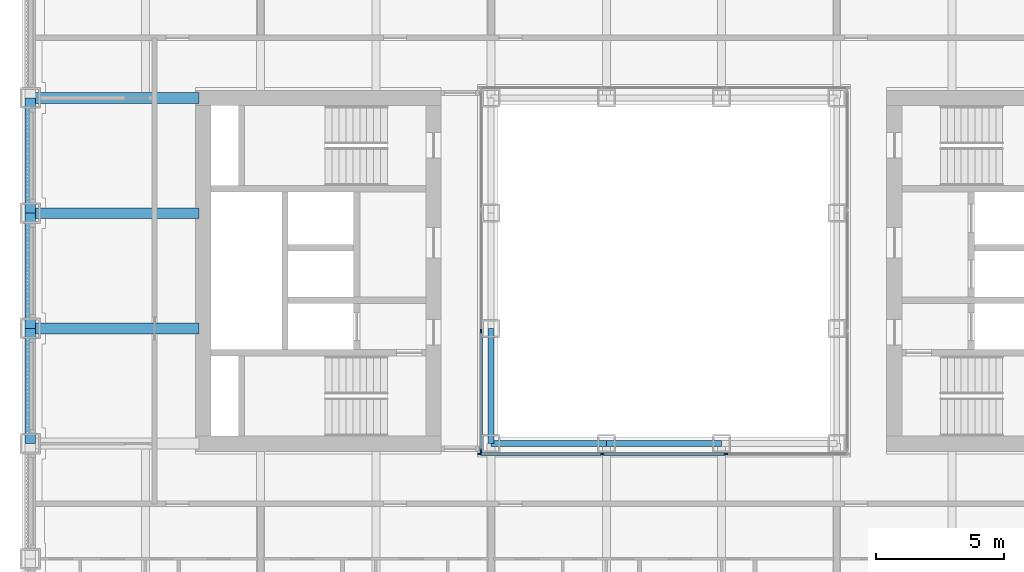
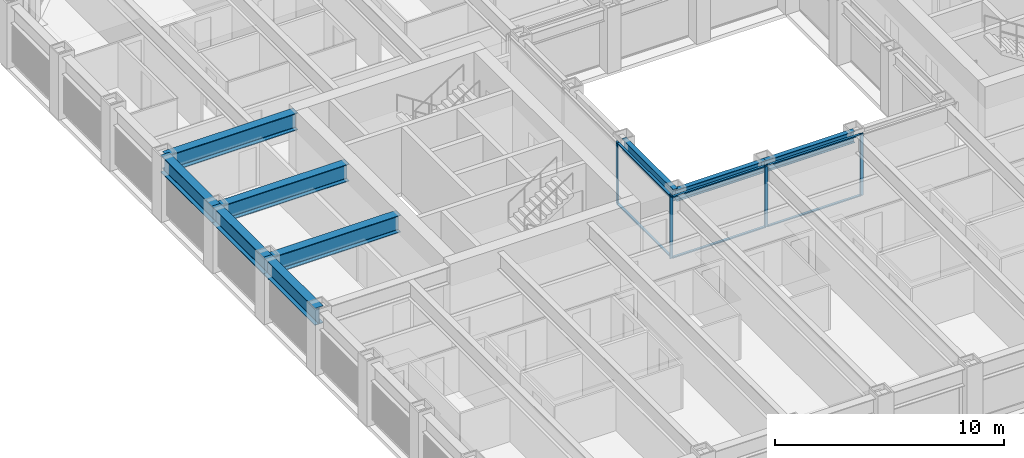
# One storey, part 3 of 21: 11 members, 9 beams, 2 elements without a shape of their own.
"""IFC4 building model written with IfcOpenShell, lengths in metres."""

from ifc_helpers import new_model, si_unit, direction, frame, origin, origin_2d, place, context, subcontext, project, spatial, rectangle, i_section, extrude, material, material_profile, profile_set, type_object, element, aggregate, save


model = new_model("IFC4")

# Units and contexts
model_context = context("Model", 3, precision=1e-05, world=origin(), true_north=direction((0.0, 1.0)))
body_context = subcontext(model_context, "Body", "Model", "MODEL_VIEW")
ifc_project = project(units=[si_unit("LENGTHUNIT", "METRE"), si_unit("AREAUNIT", "SQUARE_METRE"), si_unit("VOLUMEUNIT", "CUBIC_METRE"), si_unit("PLANEANGLEUNIT", "RADIAN"), si_unit("MASSUNIT", "GRAM", prefix="KILO")], contexts=[model_context])

# Site, building, storey
site_placement = place(None, origin())
site = spatial("IfcSite", under=ifc_project, at=site_placement, CompositionType="ELEMENT")
building_placement = place(site_placement, origin())
building = spatial("IfcBuilding", under=site, at=building_placement, Name="Msasa Ring Tower", CompositionType="ELEMENT")
storey_placement = place(building_placement, frame((0.0, 0.0, 47.5)))
storey = spatial("IfcBuildingStorey", under=building, at=storey_placement, Name="L11", CompositionType="ELEMENT", Elevation=47.5)

# Curtain wall, members
ifc_material_1 = material(Name="Aluminium curtain wall with clear glass", Category="aluminium")
curtain_wall_type = type_object("IfcCurtainWallType", Name="CW-W LIGHT WELL CURTAIN WALL", PredefinedType="NOTDEFINED", material=ifc_material_1)
curtain_wall_1_placement = place(storey_placement, origin())
curtain_wall_1 = element("IfcCurtainWall", 1, at=curtain_wall_1_placement, inside=storey, type_object=curtain_wall_type, Name="Light well curtain wall S L11", PredefinedType="NOTDEFINED")
ifc_material_2 = material(Name="Aluminium mullion", Category="aluminium")
ifc_material_profile_1 = material_profile(ifc_material_2, rectangle(XDim=0.06005859375, YDim=0.159912109375, at=origin_2d()), Name="AL 60x160")
ifc_profile_set_1 = profile_set([ifc_material_profile_1], Name="Aluminium mullion")
member_type_1 = type_object("IfcMemberType", Name="CW-W MULLION 60x160", PredefinedType="MULLION", material=ifc_profile_set_1)
member_1_placement = place(storey_placement, frame((-7.199951171875, -7.14990234375, 0.0), z_axis=(0.0, 0.0, 1.0), x_axis=(0.0, 1.0, 0.0)))
member_1 = element("IfcMember", 2, at=member_1_placement, type_object=member_type_1, Name="CW-W mullion 1", PredefinedType="MULLION", context=body_context, shape_type="SweptSolid", body=[
    extrude(rectangle(XDim=0.06005859375, YDim=0.159912109375, at=origin_2d()), origin(), (0.0, 0.0, 1.0), 3.300048828125),
])
member_2_placement = place(storey_placement, frame((-2.409912109375, -7.14990234375, 0.0), z_axis=(0.0, 0.0, 1.0), x_axis=(0.0, 1.0, 0.0)))
member_2 = element("IfcMember", 3, at=member_2_placement, type_object=member_type_1, Name="CW-W mullion 2", PredefinedType="MULLION", context=body_context, shape_type="SweptSolid", body=[
    extrude(rectangle(XDim=0.06005859375, YDim=0.159912109375, at=origin_2d()), origin(), (0.0, 0.0, 1.0), 3.300048828125),
])
member_3_placement = place(storey_placement, frame((2.409912109375, -7.14990234375, 0.0), z_axis=(0.0, 0.0, 1.0), x_axis=(0.0, 1.0, 0.0)))
member_3 = element("IfcMember", 4, at=member_3_placement, type_object=member_type_1, Name="CW-W mullion 3", PredefinedType="MULLION", context=body_context, shape_type="SweptSolid", body=[
    extrude(rectangle(XDim=0.06005859375, YDim=0.159912109375, at=origin_2d()), origin(), (0.0, 0.0, 1.0), 3.300048828125),
])

curtain_wall_2_placement = place(storey_placement, origin())
curtain_wall_2 = element("IfcCurtainWall", 5, at=curtain_wall_2_placement, inside=storey, type_object=curtain_wall_type, Name="Light well curtain wall W L11", PredefinedType="NOTDEFINED")
member_4_placement = place(storey_placement, frame((-7.14990234375, -7.0400390625, 0.0), z_axis=(0.0, 0.0, 1.0), x_axis=(-1.0, 0.0, 0.0)))
member_4 = element("IfcMember", 6, at=member_4_placement, type_object=member_type_1, Name="CW-W mullion 1", PredefinedType="MULLION", context=body_context, shape_type="SweptSolid", body=[
    extrude(rectangle(XDim=0.06005859375, YDim=0.159912109375, at=origin_2d()), origin(), (0.0, 0.0, 1.0), 3.300048828125),
])
member_5_placement = place(storey_placement, frame((-7.14990234375, -2.356689453125, 0.0), z_axis=(0.0, 0.0, 1.0), x_axis=(-1.0, 0.0, 0.0)))
member_5 = element("IfcMember", 7, at=member_5_placement, type_object=member_type_1, Name="CW-W mullion 2", PredefinedType="MULLION", context=body_context, shape_type="SweptSolid", body=[
    extrude(rectangle(XDim=0.06005859375, YDim=0.159912109375, at=origin_2d()), origin(), (0.0, 0.0, 1.0), 3.300048828125),
])

# Member
ifc_material_3 = material(Name="Aluminium transom", Category="aluminium")
ifc_material_profile_2 = material_profile(ifc_material_3, rectangle(XDim=0.1201171875, YDim=0.06005859375, at=origin_2d()), Name="AL 60x120")
ifc_profile_set_2 = profile_set([ifc_material_profile_2], Name="Aluminium transom")
member_type_2 = type_object("IfcMemberType", Name="CW-W TRANSOM 60x120", PredefinedType="USERDEFINED", material=ifc_profile_set_2)
member_6_placement = place(storey_placement, frame((-7.169921875, -7.14990234375, 0.030029296875), z_axis=(1.0, 0.0, 0.0), x_axis=(0.0, 1.0, 0.0)))
member_6 = element("IfcMember", 8, at=member_6_placement, type_object=member_type_2, Name="CW-W transom 1.1", ObjectType="TRANSOM", PredefinedType="USERDEFINED", context=body_context, shape_type="SweptSolid", body=[
    extrude(rectangle(XDim=0.1201171875, YDim=0.06005859375, at=origin_2d()), origin(), (0.0, 0.0, 1.0), 4.72998046875),
])

member_7_placement = place(storey_placement, frame((-7.169921875, -7.14990234375, 3.27001953125), z_axis=(1.0, 0.0, 0.0), x_axis=(0.0, 1.0, 0.0)))
member_7 = element("IfcMember", 9, at=member_7_placement, type_object=member_type_2, Name="CW-W transom 1.2", ObjectType="TRANSOM", PredefinedType="USERDEFINED", context=body_context, shape_type="SweptSolid", body=[
    extrude(rectangle(XDim=0.1201171875, YDim=0.06005859375, at=origin_2d()), origin(), (0.0, 0.0, 1.0), 4.72998046875),
])

member_8_placement = place(storey_placement, frame((-2.3798828125, -7.14990234375, 0.030029296875), z_axis=(1.0, 0.0, 0.0), x_axis=(0.0, 1.0, 0.0)))
member_8 = element("IfcMember", 10, at=member_8_placement, type_object=member_type_2, Name="CW-W transom 2.1", ObjectType="TRANSOM", PredefinedType="USERDEFINED", context=body_context, shape_type="SweptSolid", body=[
    extrude(rectangle(XDim=0.1201171875, YDim=0.06005859375, at=origin_2d()), origin(), (0.0, 0.0, 1.0), 4.759765625),
])

member_9_placement = place(storey_placement, frame((-2.3798828125, -7.14990234375, 3.27001953125), z_axis=(1.0, 0.0, 0.0), x_axis=(0.0, 1.0, 0.0)))
member_9 = element("IfcMember", 11, at=member_9_placement, type_object=member_type_2, Name="CW-W transom 2.2", ObjectType="TRANSOM", PredefinedType="USERDEFINED", context=body_context, shape_type="SweptSolid", body=[
    extrude(rectangle(XDim=0.1201171875, YDim=0.06005859375, at=origin_2d()), origin(), (0.0, 0.0, 1.0), 4.759765625),
])

aggregate(curtain_wall_1, [member_1, member_2, member_3, member_6, member_7, member_8, member_9])

member_10_placement = place(storey_placement, frame((-7.14990234375, -7.010009765625, 0.030029296875), z_axis=(0.0, 1.0, 0.0), x_axis=(-1.0, 0.0, 0.0)))
member_10 = element("IfcMember", 12, at=member_10_placement, type_object=member_type_2, Name="CW-W transom 1.1", ObjectType="TRANSOM", PredefinedType="USERDEFINED", context=body_context, shape_type="SweptSolid", body=[
    extrude(rectangle(XDim=0.1201171875, YDim=0.06005859375, at=origin_2d()), origin(), (0.0, 0.0, 1.0), 4.623291015625),
])

member_11_placement = place(storey_placement, frame((-7.14990234375, -7.010009765625, 3.27001953125), z_axis=(0.0, 1.0, 0.0), x_axis=(-1.0, 0.0, 0.0)))
member_11 = element("IfcMember", 13, at=member_11_placement, type_object=member_type_2, Name="CW-W transom 1.2", ObjectType="TRANSOM", PredefinedType="USERDEFINED", context=body_context, shape_type="SweptSolid", body=[
    extrude(rectangle(XDim=0.1201171875, YDim=0.06005859375, at=origin_2d()), origin(), (0.0, 0.0, 1.0), 4.623291015625),
])

aggregate(curtain_wall_2, [member_4, member_5, member_10, member_11])

# Beams
ifc_material_4 = material(Name="Steel S355", Category="steel")
ifc_material_profile_3 = material_profile(ifc_material_4, i_section(OverallWidth=0.42041015625, OverallDepth=0.9208984375, WebThickness=0.021484375, FlangeThickness=0.03662109375, FilletRadius=0.024169921875, at=origin_2d()), Name="UB 914x419x388")
ifc_profile_set_3 = profile_set([ifc_material_profile_3], Name="Steel S355")
beam_type_1 = type_object("IfcBeamType", Name="FB2 UB 914x419x388", PredefinedType="BEAM", material=ifc_profile_set_3)
for number, where, z_axis, x_axis, name in (
    (14, (-24.75, -2.25, 2.839599609375), (1.0, 0.0, 0.0), (0.0, 1.0, 0.0), "Floor beam W -2.25 under L12"),
    (15, (-24.75, 2.25, 2.839599609375), (1.0, 0.0, 0.0), (0.0, 1.0, 0.0), "Floor beam W +2.25 under L12"),
):
    element("IfcBeam", number, at=place(storey_placement, frame(where, z_axis=z_axis, x_axis=x_axis)), inside=storey, type_object=beam_type_1, Name=name, PredefinedType="BEAM", context=body_context, shape_type="SweptSolid", body=[
        extrude(i_section(OverallWidth=0.42041015625, OverallDepth=0.9208984375, WebThickness=0.021484375, FlangeThickness=0.03662109375, FilletRadius=0.024169921875, at=origin_2d()), origin(), (0.0, 0.0, 1.0), 6.60009765625),
    ])
ifc_material_5 = material(Name="Steel S355", Category="steel")
ifc_material_profile_4 = material_profile(ifc_material_5, i_section(OverallWidth=0.42041015625, OverallDepth=0.9208984375, WebThickness=0.021484375, FlangeThickness=0.03662109375, FilletRadius=0.024169921875, at=origin_2d()), Name="UB 914x419x388")
ifc_profile_set_4 = profile_set([ifc_material_profile_4], Name="Steel S355")
beam_type_2 = type_object("IfcBeamType", Name="GB1 UB 914x419x388", PredefinedType="BEAM", material=ifc_profile_set_4)
beam_placement = place(storey_placement, frame((-18.14990234375, 6.75, 2.839599609375), z_axis=(-1.0, 0.0, 0.0), x_axis=(0.0, -1.0, 0.0)))
element("IfcBeam", 16, at=beam_placement, inside=storey, type_object=beam_type_2, Name="Girder W +6.75 under L12", PredefinedType="BEAM", context=body_context, shape_type="SweptSolid", body=[
    extrude(i_section(OverallWidth=0.42041015625, OverallDepth=0.9208984375, WebThickness=0.021484375, FlangeThickness=0.03662109375, FilletRadius=0.024169921875, at=origin_2d()), origin(), (0.0, 0.0, 1.0), 6.60009765625),
])
ifc_material_6 = material(Name="Steel S355", Category="steel")
ifc_material_profile_5 = material_profile(ifc_material_6, i_section(OverallWidth=0.230224609375, OverallDepth=0.6171875, WebThickness=0.01318359375, FlangeThickness=0.022216796875, FilletRadius=0.0126953125, at=origin_2d()), Name="UB 610x229x140")
ifc_profile_set_5 = profile_set([ifc_material_profile_5], Name="Steel S355")
beam_type_3 = type_object("IfcBeamType", Name="RB1 UB 610x229x140", PredefinedType="BEAM", material=ifc_profile_set_5)
for number, where, z_axis, x_axis, name in (
    (17, (-6.75, -2.25, 2.991455078125), (0.0, -1.0, 0.0), (1.0, 0.0, 0.0), "Inner ring beam IR-6.75-2.25 under L12"),
    (18, (-6.75, -6.75, 2.991455078125), (1.0, 0.0, 0.0), (0.0, 1.0, 0.0), "Inner ring beam IR-6.75-6.75 under L12"),
    (19, (-2.25, -6.75, 2.991455078125), (1.0, 0.0, 0.0), (0.0, 1.0, 0.0), "Inner ring beam IR-2.25-6.75 under L12"),
):
    element("IfcBeam", number, at=place(storey_placement, frame(where, z_axis=z_axis, x_axis=x_axis)), inside=storey, type_object=beam_type_3, Name=name, PredefinedType="BEAM", context=body_context, shape_type="SweptSolid", body=[
        extrude(i_section(OverallWidth=0.230224609375, OverallDepth=0.6171875, WebThickness=0.01318359375, FlangeThickness=0.022216796875, FilletRadius=0.0126953125, at=origin_2d()), origin(), (0.0, 0.0, 1.0), 4.5),
    ])
ifc_material_7 = material(Name="Steel S355", Category="steel")
ifc_material_profile_6 = material_profile(ifc_material_7, i_section(OverallWidth=0.42041015625, OverallDepth=0.9208984375, WebThickness=0.021484375, FlangeThickness=0.03662109375, FilletRadius=0.024169921875, at=origin_2d()), Name="UB 914x419x388")
ifc_profile_set_6 = profile_set([ifc_material_profile_6], Name="Steel S355")
beam_type_4 = type_object("IfcBeamType", Name="SB1 UB 914x419x388", PredefinedType="SPANDREL", material=ifc_profile_set_6)
for number, where, z_axis, x_axis, name in (
    (20, (-24.75, -2.25, 2.839599609375), (0.0, -1.0, 0.0), (1.0, 0.0, 0.0), "Spandrel W-2.25 to W-6.75 under L12"),
    (21, (-24.75, 6.75, 2.839599609375), (0.0, -1.0, 0.0), (1.0, 0.0, 0.0), "Spandrel W+6.75 to W+2.25 under L12"),
    (22, (-24.75, 2.25, 2.839599609375), (0.0, -1.0, 0.0), (1.0, 0.0, 0.0), "Spandrel W+2.25 to W-2.25 under L12"),
):
    element("IfcBeam", number, at=place(storey_placement, frame(where, z_axis=z_axis, x_axis=x_axis)), inside=storey, type_object=beam_type_4, Name=name, PredefinedType="SPANDREL", context=body_context, shape_type="SweptSolid", body=[
        extrude(i_section(OverallWidth=0.42041015625, OverallDepth=0.9208984375, WebThickness=0.021484375, FlangeThickness=0.03662109375, FilletRadius=0.024169921875, at=origin_2d()), origin(), (0.0, 0.0, 1.0), 4.5),
    ])

save(model, "model.ifc")
